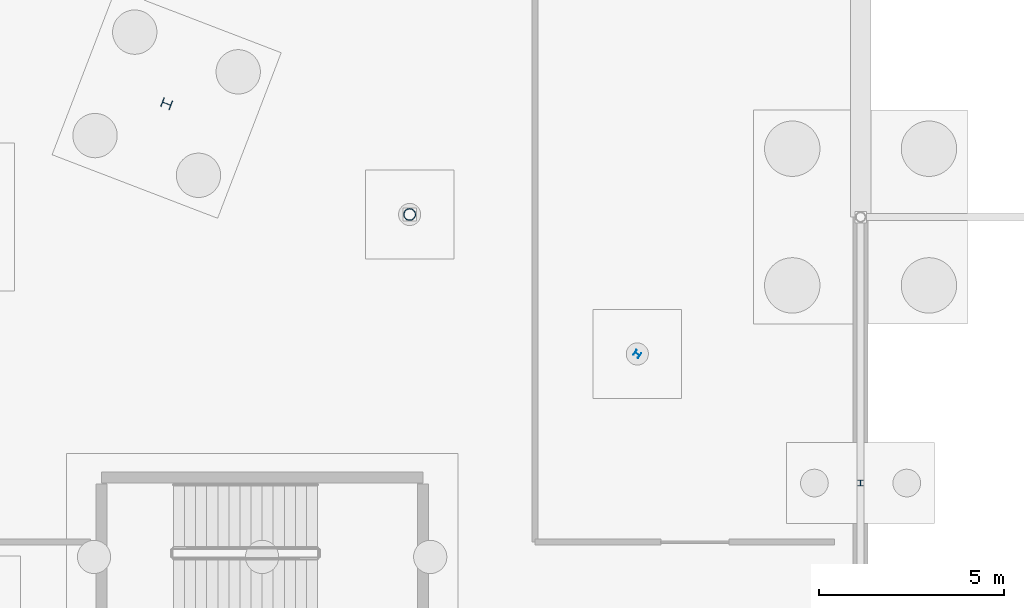
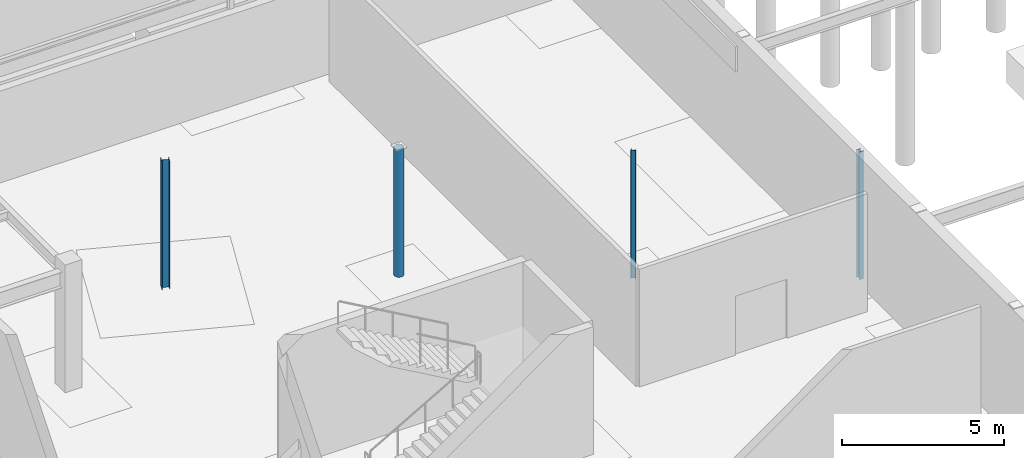
# One storey, part 63 of 136: 4 columns.
"""IFC4 building model written with IfcOpenShell, lengths in metres."""

from ifc_helpers import new_model, si_unit, direction, frame, origin, origin_2d, place, context, subcontext, project, spatial, hollow_circle, i_section, extrude, material, material_profile, profile_set, type_object, element, save


model = new_model("IFC4")

# Units and contexts
model_context = context("Model", 3, precision=1e-05, world=origin(), true_north=direction((0.0, 1.0)))
body_context = subcontext(model_context, "Body", "Model", "MODEL_VIEW")
ifc_project = project(units=[si_unit("LENGTHUNIT", "METRE"), si_unit("AREAUNIT", "SQUARE_METRE"), si_unit("VOLUMEUNIT", "CUBIC_METRE"), si_unit("PLANEANGLEUNIT", "RADIAN"), si_unit("MASSUNIT", "GRAM", prefix="KILO")], contexts=[model_context])

# Site, building, storey
site_placement = place(None, origin())
site = spatial("IfcSite", under=ifc_project, at=site_placement, CompositionType="ELEMENT")
building_placement = place(site_placement, origin())
building = spatial("IfcBuilding", under=site, at=building_placement, Name="Tarnwether General Hospital", CompositionType="ELEMENT")
storey_placement = place(building_placement, frame((0.0, 0.0, -4.800048828125)))
storey = spatial("IfcBuildingStorey", under=building, at=storey_placement, Name="LG", CompositionType="ELEMENT", Elevation=-4.800048828125)

# Columns
ifc_material_1 = material(Name="Steel Grade 350 (350 MPa)", Category="steel")
ifc_material_profile_1 = material_profile(ifc_material_1, i_section(OverallWidth=0.25390625, OverallDepth=0.25390625, WebThickness=0.008544921875, FlangeThickness=0.01416015625, at=origin_2d()), Name="250UC72.9")
ifc_profile_set_1 = profile_set([ifc_material_profile_1], Name="Steel Grade 350 (350 MPa)")
column_type_1 = type_object("IfcColumnType", Name="COL-24", PredefinedType="COLUMN", material=ifc_profile_set_1)
column_1_placement = place(storey_placement, frame((113.215087890625, 118.26806640625, 0.0), z_axis=(0.0, 0.0, 1.0), x_axis=(0.358367949545, 0.933580426497, 0.0)))
element("IfcColumn", 1, at=column_1_placement, inside=storey, type_object=column_type_1, Name="Column COLG-LG-11322_11827", PredefinedType="COLUMN", context=body_context, shape_type="SweptSolid", body=[
    extrude(i_section(OverallWidth=0.25390625, OverallDepth=0.25390625, WebThickness=0.008544921875, FlangeThickness=0.01416015625, at=origin_2d()), origin(), (0.0, 0.0, 1.0), 4.800048828125),
])
ifc_material_2 = material(Name="Steel Grade C350L0 (350 MPa)", Category="steel")
ifc_material_profile_2 = material_profile(ifc_material_2, hollow_circle(Radius=0.161865234375, WallThickness=0.0126953125, at=origin_2d()), Name="CHS323.9x12.7")
ifc_profile_set_2 = profile_set([ifc_material_profile_2], Name="Steel Grade C350L0 (350 MPa)")
column_type_2 = type_object("IfcColumnType", Name="COL-26", PredefinedType="COLUMN", material=ifc_profile_set_2)
column_2_placement = place(storey_placement, frame((119.79296875, 115.27001953125, 0.0), z_axis=(0.0, 0.0, 1.0), x_axis=(0.469471562786, 0.882947592859, 0.0)))
element("IfcColumn", 2, at=column_2_placement, inside=storey, type_object=column_type_2, Name="Column COLG-LG-11979_11527", PredefinedType="COLUMN", context=body_context, shape_type="SweptSolid", body=[
    extrude(hollow_circle(Radius=0.161865234375, WallThickness=0.0126953125, at=origin_2d()), origin(), (0.0, 0.0, 1.0), 4.800048828125),
])
ifc_material_3 = material(Name="Steel Grade 350 (350 MPa)", Category="steel")
ifc_material_profile_3 = material_profile(ifc_material_3, i_section(OverallWidth=0.154052734375, OverallDepth=0.162109375, WebThickness=0.008056640625, FlangeThickness=0.011474609375, at=origin_2d()), Name="150UC37.2")
ifc_profile_set_3 = profile_set([ifc_material_profile_3], Name="Steel Grade 350 (350 MPa)")
column_type_3 = type_object("IfcColumnType", Name="COL-28", PredefinedType="COLUMN", material=ifc_profile_set_3)
column_3_placement = place(storey_placement, frame((125.9560546875, 111.493896484375, 0.0), z_axis=(0.0, 0.0, 1.0), x_axis=(0.573576436351, 0.819152044289, 0.0)))
element("IfcColumn", 3, at=column_3_placement, inside=storey, type_object=column_type_3, Name="Column COLG-LG-12596_11149", PredefinedType="COLUMN", context=body_context, shape_type="SweptSolid", body=[
    extrude(i_section(OverallWidth=0.154052734375, OverallDepth=0.162109375, WebThickness=0.008056640625, FlangeThickness=0.011474609375, at=origin_2d()), origin(), (0.0, 0.0, 1.0), 4.800048828125),
])
ifc_material_4 = material(Name="Steel Grade 350 (350 MPa)", Category="steel")
ifc_material_profile_4 = material_profile(ifc_material_4, i_section(OverallWidth=0.153076171875, OverallDepth=0.157958984375, WebThickness=0.006591796875, FlangeThickness=0.009521484375, at=origin_2d()), Name="150UC30.0")
ifc_profile_set_4 = profile_set([ifc_material_profile_4], Name="Steel Grade 350 (350 MPa)")
column_type_4 = type_object("IfcColumnType", Name="COL-31", PredefinedType="COLUMN", material=ifc_profile_set_4)
column_4_placement = place(storey_placement, frame((132.0, 108.0, 0.0), z_axis=(0.0, 0.0, 1.0), x_axis=(1.0, 0.0, 0.0)))
element("IfcColumn", 4, at=column_4_placement, inside=storey, type_object=column_type_4, Name="Column COLG-LG-13200_10800", PredefinedType="COLUMN", context=body_context, shape_type="SweptSolid", body=[
    extrude(i_section(OverallWidth=0.153076171875, OverallDepth=0.157958984375, WebThickness=0.006591796875, FlangeThickness=0.009521484375, at=origin_2d()), origin(), (0.0, 0.0, 1.0), 4.800048828125),
])

save(model, "model.ifc")
